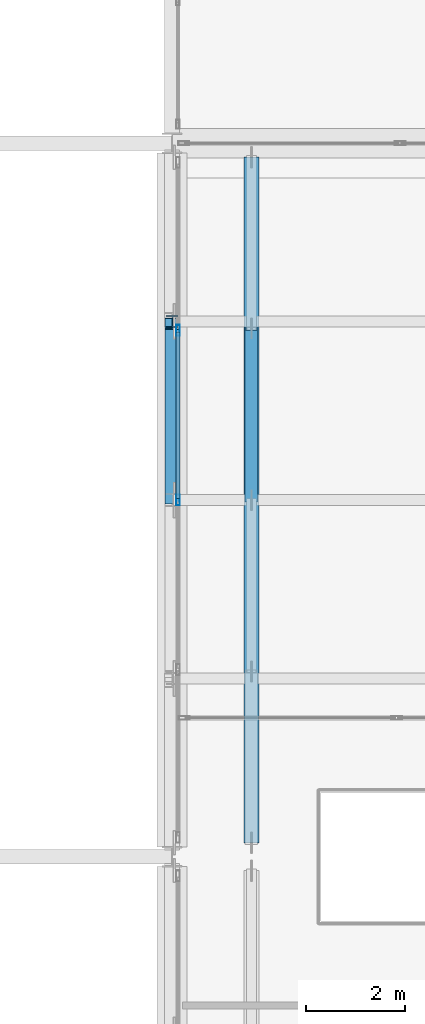
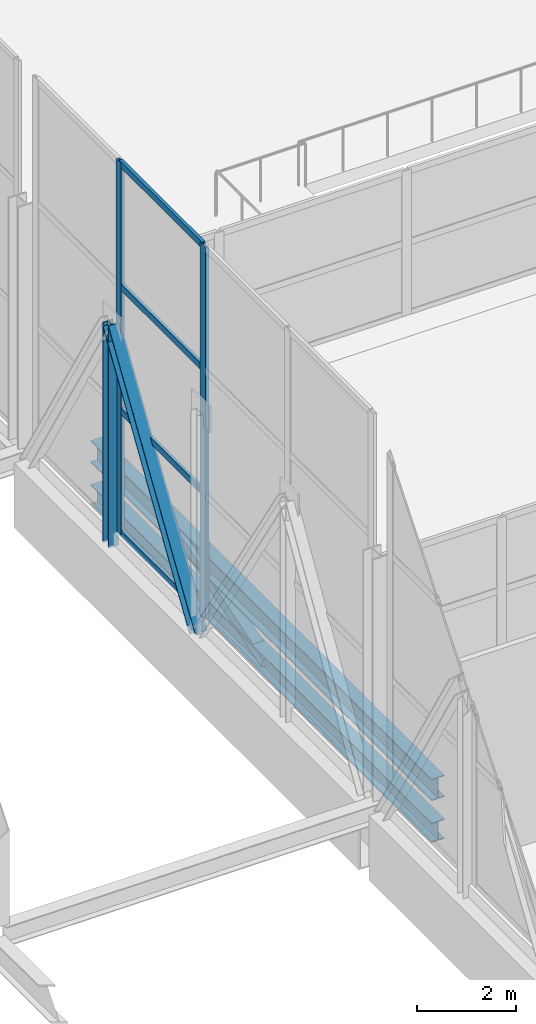
# One storey, part 75 of 191: 9 members, 2 beams, 1 element without a shape of its own.
"""IFC4 building model written with IfcOpenShell, lengths in metres."""

from ifc_helpers import new_model, si_unit, direction, frame, origin, origin_2d, place, context, subcontext, project, spatial, hollow_rectangle, i_section, extrude, material, layer, layer_set, material_profile, profile_set, type_object, element, aggregate, save


model = new_model("IFC4")

# Units and contexts
model_context = context("Model", 3, precision=1e-05, world=origin(), true_north=direction((0.0, 1.0)))
body_context = subcontext(model_context, "Body", "Model", "MODEL_VIEW")
ifc_project = project(units=[si_unit("LENGTHUNIT", "METRE"), si_unit("AREAUNIT", "SQUARE_METRE"), si_unit("VOLUMEUNIT", "CUBIC_METRE"), si_unit("PLANEANGLEUNIT", "RADIAN"), si_unit("MASSUNIT", "GRAM", prefix="KILO")], contexts=[model_context])

# Site, building, storey
site_placement = place(None, origin())
site = spatial("IfcSite", under=ifc_project, at=site_placement, CompositionType="ELEMENT")
building_placement = place(site_placement, origin())
building = spatial("IfcBuilding", under=site, at=building_placement, Name="Tamarisk Ironworks Central Station", CompositionType="ELEMENT")
storey_placement = place(building_placement, frame((0.0, 0.0, 6.60009765625)))
storey = spatial("IfcBuildingStorey", under=building, at=storey_placement, Name="L01", CompositionType="ELEMENT", Elevation=6.60009765625)

# Beams
ifc_material_1 = material(Name="Structural steel S355J2", Category="steel")
ifc_material_profile_1 = material_profile(ifc_material_1, i_section(OverallWidth=0.300048828125, OverallDepth=0.5400390625, WebThickness=0.012451171875, FlangeThickness=0.02392578125, at=origin_2d()), Name="HEA 550")
ifc_profile_set_1 = profile_set([ifc_material_profile_1], Name="Structural steel S355J2")
beam_type_1 = type_object("IfcBeamType", Name="BM-G04", PredefinedType="BEAM", material=ifc_profile_set_1)
beam_1_placement = place(storey_placement, frame((55.60009765625, 65.080078125, -0.580078125), z_axis=(0.0, 1.0, 0.0), x_axis=(-1.0, 0.0, 0.0)))
element("IfcBeam", 1, at=beam_1_placement, inside=storey, type_object=beam_type_1, Name="Bridge deck transfer stiffening chord 132", PredefinedType="BEAM", context=body_context, shape_type="SweptSolid", body=[
    extrude(i_section(OverallWidth=0.300048828125, OverallDepth=0.5400390625, WebThickness=0.012451171875, FlangeThickness=0.02392578125, at=origin_2d()), origin(), (0.0, 0.0, 1.0), 13.83984375),
])
ifc_material_profile_2 = material_profile(ifc_material_1, i_section(OverallWidth=0.300048828125, OverallDepth=0.489990234375, WebThickness=0.011962890625, FlangeThickness=0.02294921875, at=origin_2d()), Name="HEA 500")
ifc_profile_set_2 = profile_set([ifc_material_profile_2], Name="Structural steel S355J2")
beam_type_2 = type_object("IfcBeamType", Name="BM-G05", PredefinedType="BEAM", material=ifc_profile_set_2)
beam_2_placement = place(storey_placement, frame((55.60009765625, 65.080078125, -1.64013671875), z_axis=(0.0, 1.0, 0.0), x_axis=(-1.0, 0.0, 0.0)))
element("IfcBeam", 2, at=beam_2_placement, inside=storey, type_object=beam_type_2, Name="Bridge deck transfer stiffening chord 131", PredefinedType="BEAM", context=body_context, shape_type="SweptSolid", body=[
    extrude(i_section(OverallWidth=0.300048828125, OverallDepth=0.489990234375, WebThickness=0.011962890625, FlangeThickness=0.02294921875, at=origin_2d()), origin(), (0.0, 0.0, 1.0), 13.83984375),
])

# Curtain wall, members
ifc_material_2 = material(Name="Anodized aluminium alloy 6063-T6", Category="aluminium")
ifc_layer = layer(ifc_material_2, 0.179931640625)
ifc_layer_set = layer_set([ifc_layer], Name="Anodized aluminium alloy 6063-T6")
curtain_wall_type = type_object("IfcCurtainWallType", Name="CW-06", PredefinedType="USERDEFINED", material=ifc_layer_set)
curtain_wall_placement = place(storey_placement, origin())
curtain_wall = element("IfcCurtainWall", 3, at=curtain_wall_placement, inside=storey, type_object=curtain_wall_type, Name="Concourse W track-overlook curtain wall 05", ObjectType="GLAZED CURTAIN WALL", PredefinedType="USERDEFINED")
ifc_material_profile_3 = material_profile(ifc_material_2, hollow_rectangle(XDim=0.074951171875, YDim=0.219970703125, WallThickness=0.00390625, at=origin_2d()), Name="ALUM 220x75")
ifc_profile_set_3 = profile_set([ifc_material_profile_3], Name="Anodized aluminium alloy 6063-T6")
member_type_1 = type_object("IfcMemberType", Name="CWM-01", PredefinedType="MULLION", material=ifc_profile_set_3)
member_1_placement = place(storey_placement, frame((54.1201171875, 72.0, 0.0), z_axis=(0.0, 0.0, 1.0), x_axis=(-1.0, 0.0, 0.0)))
member_1 = element("IfcMember", 4, at=member_1_placement, type_object=member_type_1, Name="CW06 mullion 3", PredefinedType="MULLION", context=body_context, shape_type="SweptSolid", body=[
    extrude(hollow_rectangle(XDim=0.074951171875, YDim=0.219970703125, WallThickness=0.00390625, at=origin_2d()), origin(), (0.0, 0.0, 1.0), 9.219970703125),
])
member_2_placement = place(storey_placement, frame((54.1201171875, 75.425048828125, 0.0), z_axis=(0.0, 0.0, 1.0), x_axis=(-1.0, 0.0, 0.0)))
member_2 = element("IfcMember", 5, at=member_2_placement, type_object=member_type_1, Name="CW06 mullion 4", PredefinedType="MULLION", context=body_context, shape_type="SweptSolid", body=[
    extrude(hollow_rectangle(XDim=0.074951171875, YDim=0.219970703125, WallThickness=0.00390625, at=origin_2d()), origin(), (0.0, 0.0, 1.0), 9.219970703125),
])
ifc_material_profile_4 = material_profile(ifc_material_2, hollow_rectangle(XDim=0.074951171875, YDim=0.159912109375, WallThickness=0.00390625, at=origin_2d()), Name="ALUM 160x75")
ifc_profile_set_4 = profile_set([ifc_material_profile_4], Name="Anodized aluminium alloy 6063-T6")
member_type_2 = type_object("IfcMemberType", Name="CWT-01", PredefinedType="USERDEFINED", material=ifc_profile_set_4)
member_3_placement = place(storey_placement, frame((54.1201171875, 72.033447265625, 0.037353515625), z_axis=(0.0, 1.0, 0.0), x_axis=(-1.0, 0.0, 0.0)))
member_3 = element("IfcMember", 6, at=member_3_placement, type_object=member_type_2, Name="CW06 transom 3.1", ObjectType="TRANSOM", PredefinedType="USERDEFINED", context=body_context, shape_type="SweptSolid", body=[
    extrude(hollow_rectangle(XDim=0.074951171875, YDim=0.159912109375, WallThickness=0.00390625, at=origin_2d()), origin(), (0.0, 0.0, 1.0), 3.358154296875),
])
member_4_placement = place(storey_placement, frame((54.1201171875, 72.033447265625, 3.0732421875), z_axis=(0.0, 1.0, 0.0), x_axis=(-1.0, 0.0, 0.0)))
member_4 = element("IfcMember", 7, at=member_4_placement, type_object=member_type_2, Name="CW06 transom 3.2", ObjectType="TRANSOM", PredefinedType="USERDEFINED", context=body_context, shape_type="SweptSolid", body=[
    extrude(hollow_rectangle(XDim=0.074951171875, YDim=0.159912109375, WallThickness=0.00390625, at=origin_2d()), origin(), (0.0, 0.0, 1.0), 3.358154296875),
])
member_5_placement = place(storey_placement, frame((54.1201171875, 72.033447265625, 6.146484375), z_axis=(0.0, 1.0, 0.0), x_axis=(-1.0, 0.0, 0.0)))
member_5 = element("IfcMember", 8, at=member_5_placement, type_object=member_type_2, Name="CW06 transom 3.3", ObjectType="TRANSOM", PredefinedType="USERDEFINED", context=body_context, shape_type="SweptSolid", body=[
    extrude(hollow_rectangle(XDim=0.074951171875, YDim=0.159912109375, WallThickness=0.00390625, at=origin_2d()), origin(), (0.0, 0.0, 1.0), 3.358154296875),
])
member_6_placement = place(storey_placement, frame((54.1201171875, 72.033447265625, 9.182373046875), z_axis=(0.0, 1.0, 0.0), x_axis=(-1.0, 0.0, 0.0)))
member_6 = element("IfcMember", 9, at=member_6_placement, type_object=member_type_2, Name="CW06 transom 3.4", ObjectType="TRANSOM", PredefinedType="USERDEFINED", context=body_context, shape_type="SweptSolid", body=[
    extrude(hollow_rectangle(XDim=0.074951171875, YDim=0.159912109375, WallThickness=0.00390625, at=origin_2d()), origin(), (0.0, 0.0, 1.0), 3.358154296875),
])
aggregate(curtain_wall, [member_1, member_2, member_3, member_4, member_5, member_6])

# Members
ifc_material_3 = material(Name="Structural steel S355J2H", Category="steel")
ifc_material_profile_5 = material_profile(ifc_material_3, hollow_rectangle(XDim=0.25, YDim=0.25, WallThickness=0.012451171875, at=origin_2d()), Name="SHS 250x250x12.5")
ifc_profile_set_5 = profile_set([ifc_material_profile_5], Name="Structural steel S355J2H")
member_type_3 = type_object("IfcMemberType", Name="MB-BR01", PredefinedType="BRACE", material=ifc_profile_set_5)
member_7_placement = place(storey_placement, frame((55.60009765625, 72.0, -1.64013671875), z_axis=(0.0, 0.956131332595, 0.292938346467), x_axis=(-1.0, 0.0, 0.0)))
element("IfcMember", 10, at=member_7_placement, inside=storey, type_object=member_type_3, Name="Bridge deck stiffening web brace 135", PredefinedType="BRACE", context=body_context, shape_type="SweptSolid", body=[
    extrude(hollow_rectangle(XDim=0.25, YDim=0.25, WallThickness=0.012451171875, at=origin_2d()), origin(), (0.0, 0.0, 1.0), 3.61865234375),
])
ifc_material_profile_6 = material_profile(ifc_material_1, i_section(OverallWidth=0.280029296875, OverallDepth=0.280029296875, WebThickness=0.010498046875, FlangeThickness=0.01806640625, at=origin_2d()), Name="HEB 280")
ifc_profile_set_6 = profile_set([ifc_material_profile_6], Name="Structural steel S355J2")
member_type_4 = type_object("IfcMemberType", Name="MB-TTD02", PredefinedType="BRACE", material=ifc_profile_set_6)
member_8_placement = place(storey_placement, frame((54.0, 72.0400390625, -0.380126953125), z_axis=(0.0, 0.539055818311, 0.842270042649), x_axis=(-1.0, 0.0, 0.0)))
element("IfcMember", 11, at=member_8_placement, inside=storey, type_object=member_type_4, Name="Transfer truss diagonal 025", PredefinedType="BRACE", context=body_context, shape_type="SweptSolid", body=[
    extrude(i_section(OverallWidth=0.280029296875, OverallDepth=0.280029296875, WebThickness=0.010498046875, FlangeThickness=0.01806640625, at=origin_2d()), origin(), (0.0, 0.0, 1.0), 6.530029296875),
])
ifc_material_profile_7 = material_profile(ifc_material_1, i_section(OverallWidth=0.239990234375, OverallDepth=0.239990234375, WebThickness=0.010009765625, FlangeThickness=0.01708984375, at=origin_2d()), Name="HEB 240")
ifc_profile_set_7 = profile_set([ifc_material_profile_7], Name="Structural steel S355J2")
member_type_5 = type_object("IfcMemberType", Name="MB-TTP02", PredefinedType="POST", material=ifc_profile_set_7)
member_9_placement = place(storey_placement, frame((54.0, 75.60009765625, -0.340087890625), z_axis=(0.0, 0.0, 1.0), x_axis=(1.0, 0.0, 0.0)))
element("IfcMember", 12, at=member_9_placement, inside=storey, type_object=member_type_5, Name="Transfer truss vertical post 028", PredefinedType="POST", context=body_context, shape_type="SweptSolid", body=[
    extrude(i_section(OverallWidth=0.239990234375, OverallDepth=0.239990234375, WebThickness=0.010009765625, FlangeThickness=0.01708984375, at=origin_2d()), origin(), (0.0, 0.0, 1.0), 5.4599609375),
])

save(model, "model.ifc")
